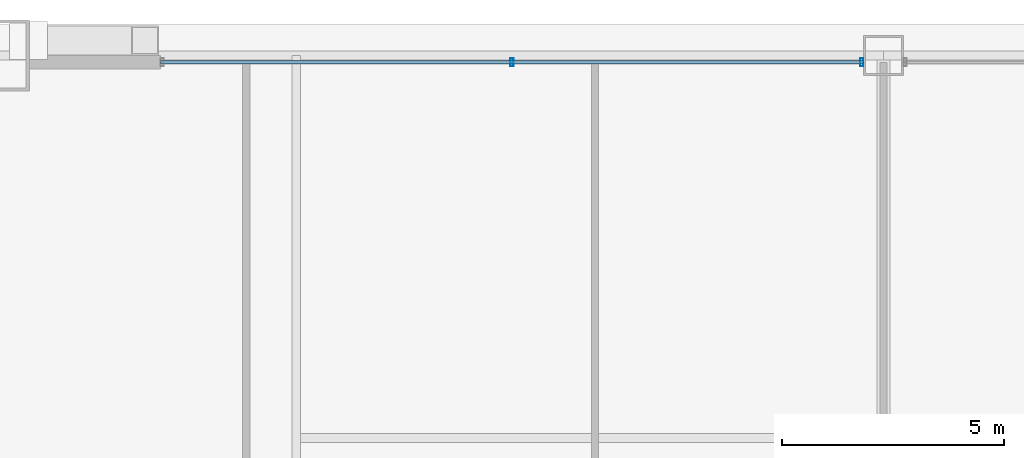
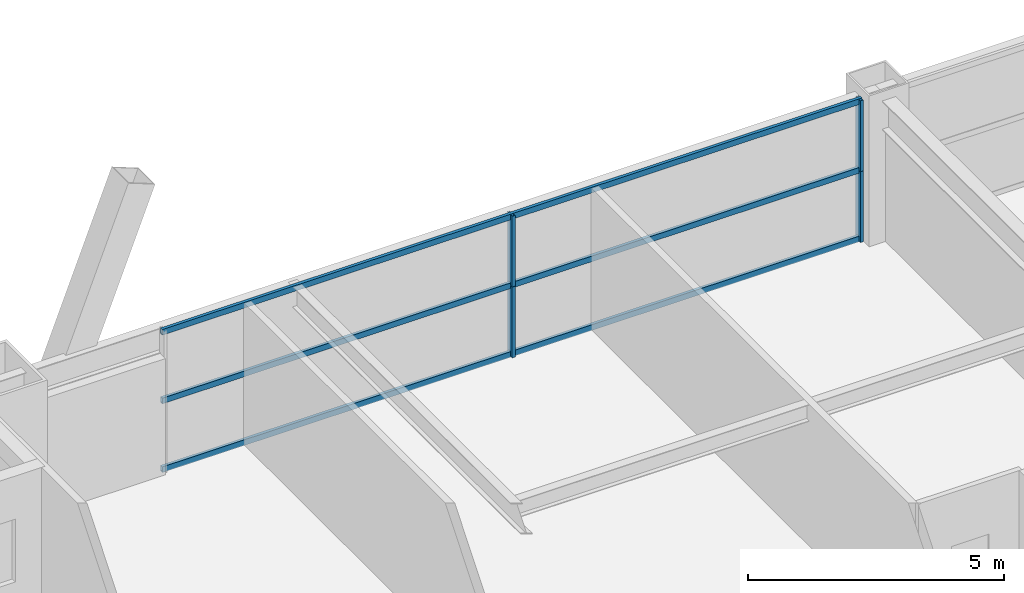
# One storey, part 29 of 43: 7 members, 1 element without a shape of its own.
"""IFC4 building model written with IfcOpenShell, lengths in metres."""

from ifc_helpers import new_model, si_unit, direction, frame, origin, origin_2d, place, context, subcontext, project, spatial, hollow_rectangle, extrude, source, transform, mapped, material, layer, layer_set, material_profile, profile_set, type_object, element, aggregate, save


model = new_model("IFC4")

# Units and contexts
model_context = context("Model", 3, precision=1e-05, world=origin(), true_north=direction((0.0, 1.0)))
body_context = subcontext(model_context, "Body", "Model", "MODEL_VIEW")
ifc_project = project(units=[si_unit("LENGTHUNIT", "METRE"), si_unit("AREAUNIT", "SQUARE_METRE"), si_unit("VOLUMEUNIT", "CUBIC_METRE"), si_unit("PLANEANGLEUNIT", "RADIAN"), si_unit("MASSUNIT", "GRAM", prefix="KILO"), si_unit("THERMODYNAMICTEMPERATUREUNIT", "KELVIN"), si_unit("POWERUNIT", "WATT")], contexts=[model_context])

# Site, building, storey
site_placement = place(None, origin())
site = spatial("IfcSite", under=ifc_project, at=site_placement, CompositionType="ELEMENT")
building_placement = place(site_placement, origin())
building = spatial("IfcBuilding", under=site, at=building_placement, Name="Yuzanri Waterfront Tower", CompositionType="ELEMENT")
storey_placement = place(building_placement, frame((0.0, 0.0, 159.60009765625)))
storey = spatial("IfcBuildingStorey", under=building, at=storey_placement, Name="L42", CompositionType="ELEMENT", Elevation=159.60009765625)

# Curtain wall, members
ifc_material_1 = material(Name="Anodized Architectural Bronze", Category="metal")
ifc_layer = layer(ifc_material_1, 0.159912109375)
ifc_layer_set = layer_set([ifc_layer], Name="Anodized Architectural Bronze")
curtain_wall_type = type_object("IfcCurtainWallType", Name="Anodized Bronze Hotel Upper-Tier Solar-Control Unitized Curtain Wall 7800", PredefinedType="NOTDEFINED", material=ifc_layer_set)
curtain_wall_placement = place(storey_placement, origin())
curtain_wall = element("IfcCurtainWall", 1, at=curtain_wall_placement, inside=storey, type_object=curtain_wall_type, Name="L42 Curtain Wall CW-L42-NL", PredefinedType="NOTDEFINED")
ifc_material_2 = material(Name="Anodized Architectural Bronze", Category="metal")
ifc_material_profile_1 = material_profile(ifc_material_2, hollow_rectangle(XDim=0.070068359375, YDim=0.179931640625, WallThickness=0.00390625, at=origin_2d()), Name="CWM 70x180")
ifc_profile_set_1 = profile_set([ifc_material_profile_1], Name="Anodized Architectural Bronze")
member_type_1 = type_object("IfcMemberType", Name="Anodized Bronze Standard Curtain-Wall Mullion 70x180", PredefinedType="MULLION", material=ifc_profile_set_1)
shared_shape_1 = source(origin(), body_context, "Body", "SweptSolid", [
    extrude(hollow_rectangle(XDim=0.070068359375, YDim=0.179931640625, WallThickness=0.00390625, at=origin_2d()), origin(), (0.0, 0.0, 1.0), 1.68798828125),
])
member_1_placement = place(storey_placement, frame((28.64990234375, 49.25, 0.0), z_axis=(0.0, 0.0, 1.0), x_axis=(1.0, 0.0, 0.0)))
member_1 = element("IfcMember", 2, at=member_1_placement, type_object=member_type_1, Name="CW-L42-NL Lower Mullion 01", PredefinedType="MULLION", context=body_context, shape_type="MappedRepresentation", body=[
    mapped(shared_shape_1, transform((0.0, 0.0, 0.0), scale=1.0)),
])
member_2_placement = place(storey_placement, frame((28.64990234375, 49.25, 1.69189453125), z_axis=(0.0, 0.0, 1.0), x_axis=(1.0, 0.0, 0.0)))
member_2 = element("IfcMember", 3, at=member_2_placement, type_object=member_type_1, Name="CW-L42-NL Upper Mullion 01", PredefinedType="MULLION", context=body_context, shape_type="MappedRepresentation", body=[
    mapped(shared_shape_1, transform((0.0, 0.0, 0.0), scale=1.0)),
])
member_3_placement = place(storey_placement, frame((36.510009765625, 49.25, 0.0), z_axis=(0.0, 0.0, 1.0), x_axis=(1.0, 0.0, 0.0)))
member_3 = element("IfcMember", 4, at=member_3_placement, type_object=member_type_1, Name="CW-L42-NL Lower Mullion 02", PredefinedType="MULLION", context=body_context, shape_type="MappedRepresentation", body=[
    mapped(shared_shape_1, transform((0.0, 0.0, 0.0), scale=1.0)),
])
member_4_placement = place(storey_placement, frame((36.510009765625, 49.25, 1.69189453125), z_axis=(0.0, 0.0, 1.0), x_axis=(1.0, 0.0, 0.0)))
member_4 = element("IfcMember", 5, at=member_4_placement, type_object=member_type_1, Name="CW-L42-NL Upper Mullion 02", PredefinedType="MULLION", context=body_context, shape_type="MappedRepresentation", body=[
    mapped(shared_shape_1, transform((0.0, 0.0, 0.0), scale=1.0)),
])
ifc_material_3 = material(Name="Anodized Architectural Bronze", Category="metal")
ifc_material_profile_2 = material_profile(ifc_material_3, hollow_rectangle(XDim=0.070068359375, YDim=0.135009765625, WallThickness=0.00341796875, at=origin_2d()), Name="CWT 70x135")
ifc_profile_set_2 = profile_set([ifc_material_profile_2], Name="Anodized Architectural Bronze")
member_type_2 = type_object("IfcMemberType", Name="Anodized Bronze Standard Curtain-Wall Transom 70x135", PredefinedType="USERDEFINED", material=ifc_profile_set_2)
shared_shape_2 = source(origin(), body_context, "Body", "SweptSolid", [
    extrude(hollow_rectangle(XDim=0.070068359375, YDim=0.135009765625, WallThickness=0.00341796875, at=origin_2d()), origin(), (0.0, 0.0, 1.0), 15.800048828125),
])
member_5_placement = place(storey_placement, frame((20.75, 49.25, 0.0498046875), z_axis=(1.0, 0.0, 0.0), x_axis=(0.0, 1.0, 0.0)))
member_5 = element("IfcMember", 6, at=member_5_placement, type_object=member_type_2, Name="CW-L42-NL Transom 1", ObjectType="TRANSOM", PredefinedType="USERDEFINED", context=body_context, shape_type="MappedRepresentation", body=[
    mapped(shared_shape_2, transform((0.0, 0.0, 0.0), scale=1.0)),
])
member_6_placement = place(storey_placement, frame((20.75, 49.25, 1.68994140625), z_axis=(1.0, 0.0, 0.0), x_axis=(0.0, 1.0, 0.0)))
member_6 = element("IfcMember", 7, at=member_6_placement, type_object=member_type_2, Name="CW-L42-NL Transom 2", ObjectType="TRANSOM", PredefinedType="USERDEFINED", context=body_context, shape_type="MappedRepresentation", body=[
    mapped(shared_shape_2, transform((0.0, 0.0, 0.0), scale=1.0)),
])
member_7_placement = place(storey_placement, frame((20.75, 49.25, 3.329833984375), z_axis=(1.0, 0.0, 0.0), x_axis=(0.0, 1.0, 0.0)))
member_7 = element("IfcMember", 8, at=member_7_placement, type_object=member_type_2, Name="CW-L42-NL Transom 3", ObjectType="TRANSOM", PredefinedType="USERDEFINED", context=body_context, shape_type="MappedRepresentation", body=[
    mapped(shared_shape_2, transform((0.0, 0.0, 0.0), scale=1.0)),
])
aggregate(curtain_wall, [member_1, member_2, member_3, member_4, member_5, member_6, member_7])

save(model, "model.ifc")
